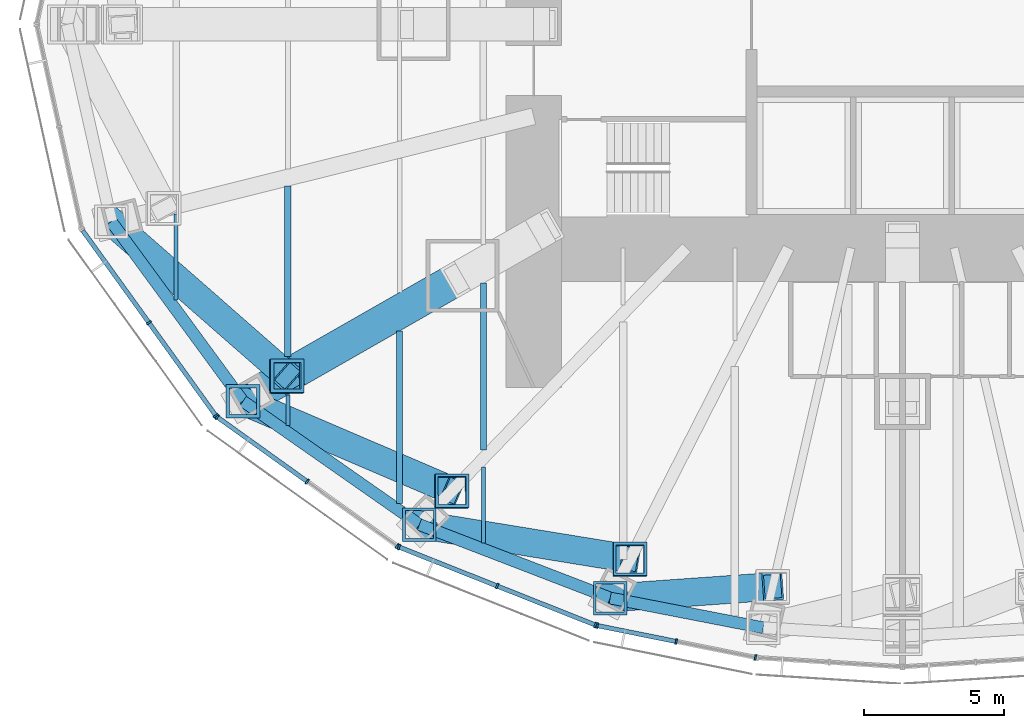
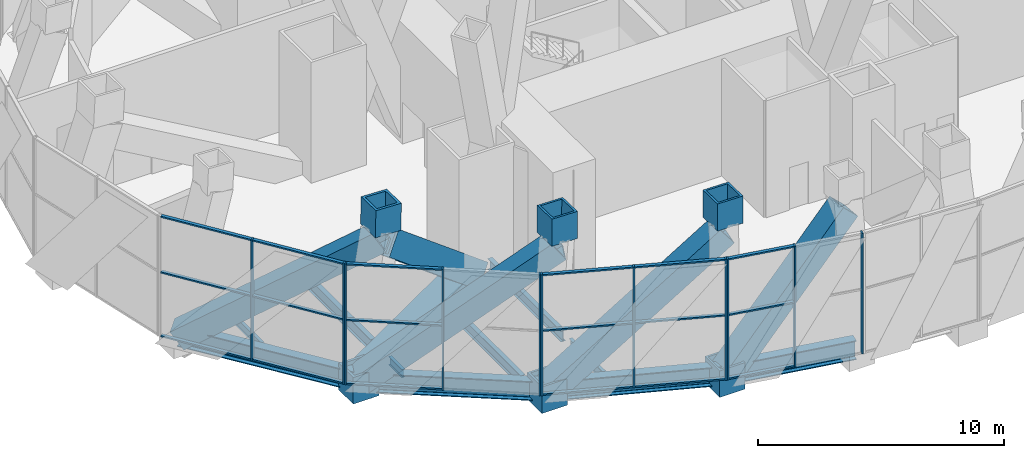
# One storey, part 2 of 21: 40 members, 11 beams, 4 elements without a shape of their own.
"""IFC4 building model written with IfcOpenShell, lengths in metres."""

from ifc_helpers import new_model, si_unit, direction, frame, origin, origin_2d, place, context, subcontext, project, spatial, rectangle, hollow_rectangle, i_section, extrude, material, material_profile, profile_set, type_object, element, aggregate, save


model = new_model("IFC4")

# Units and contexts
model_context = context("Model", 3, precision=1e-05, world=origin(), true_north=direction((0.0, 1.0)))
body_context = subcontext(model_context, "Body", "Model", "MODEL_VIEW")
ifc_project = project(units=[si_unit("LENGTHUNIT", "METRE"), si_unit("AREAUNIT", "SQUARE_METRE"), si_unit("VOLUMEUNIT", "CUBIC_METRE"), si_unit("PLANEANGLEUNIT", "RADIAN"), si_unit("MASSUNIT", "GRAM", prefix="KILO")], contexts=[model_context])

# Site, building, storey
site_placement = place(None, origin())
site = spatial("IfcSite", under=ifc_project, at=site_placement, CompositionType="ELEMENT")
building_placement = place(site_placement, origin())
building = spatial("IfcBuilding", under=site, at=building_placement, Name="Lantaw Convention Tower", CompositionType="ELEMENT")
storey_placement = place(building_placement, frame((0.0, 0.0, 105.39990234375)))
storey = spatial("IfcBuildingStorey", under=building, at=storey_placement, Name="L25", CompositionType="ELEMENT", Elevation=105.39990234375)

# Beams
ifc_material_1 = material(Name="Steel ASTM A992", Category="steel")
ifc_material_profile_1 = material_profile(ifc_material_1, i_section(OverallWidth=0.424072265625, OverallDepth=0.947509765625, WebThickness=0.02392578125, FlangeThickness=0.042724609375, FilletRadius=0.012451171875, at=origin_2d()), Name="W36X302")
ifc_profile_set_1 = profile_set([ifc_material_profile_1], Name="Steel ASTM A992")
beam_type_1 = type_object("IfcBeamType", Name="Beam BC W36X302", PredefinedType="SPANDREL", material=ifc_profile_set_1)
beam_1_placement = place(storey_placement, frame((-28.31787109375, -7.060302734375, -0.673583984375), z_axis=(0.591270709086, -0.806473154281, 0.0), x_axis=(0.806473154281, 0.591270709086, 0.0)))
element("IfcBeam", 1, at=beam_1_placement, inside=storey, type_object=beam_type_1, Name="Belt truss chord 14", PredefinedType="SPANDREL", context=body_context, shape_type="SweptSolid", body=[
    extrude(i_section(OverallWidth=0.424072265625, OverallDepth=0.947509765625, WebThickness=0.02392578125, FlangeThickness=0.042724609375, FilletRadius=0.012451171875, at=origin_2d()), origin(), (0.0, 0.0, 1.0), 7.970703125),
])
beam_2_placement = place(storey_placement, frame((-23.60498046875, -13.488525390625, -0.673583984375), z_axis=(0.81942686407, -0.57318375277, 0.0), x_axis=(0.57318375277, 0.81942686407, 0.0)))
element("IfcBeam", 2, at=beam_2_placement, inside=storey, type_object=beam_type_1, Name="Belt truss chord 15", PredefinedType="SPANDREL", context=body_context, shape_type="SweptSolid", body=[
    extrude(i_section(OverallWidth=0.424072265625, OverallDepth=0.947509765625, WebThickness=0.02392578125, FlangeThickness=0.042724609375, FilletRadius=0.012451171875, at=origin_2d()), origin(), (0.0, 0.0, 1.0), 7.70556640625),
])
beam_3_placement = place(storey_placement, frame((-17.290771484375, -17.9052734375, -0.673583984375), z_axis=(0.933232900641, -0.359271976588, 0.0), x_axis=(0.359271976588, 0.933232900641, 0.0)))
element("IfcBeam", 3, at=beam_3_placement, inside=storey, type_object=beam_type_1, Name="Belt truss chord 16", PredefinedType="SPANDREL", context=body_context, shape_type="SweptSolid", body=[
    extrude(i_section(OverallWidth=0.424072265625, OverallDepth=0.947509765625, WebThickness=0.02392578125, FlangeThickness=0.042724609375, FilletRadius=0.012451171875, at=origin_2d()), origin(), (0.0, 0.0, 1.0), 7.316650390625),
])
beam_4_placement = place(storey_placement, frame((-10.462646484375, -20.533935546875, -0.673583984375), z_axis=(0.981636565323, -0.190760723474, 0.0), x_axis=(0.190760723474, 0.981636565323, 0.0)))
element("IfcBeam", 4, at=beam_4_placement, inside=storey, type_object=beam_type_1, Name="Belt truss chord 17", PredefinedType="SPANDREL", context=body_context, shape_type="SweptSolid", body=[
    extrude(i_section(OverallWidth=0.424072265625, OverallDepth=0.947509765625, WebThickness=0.02392578125, FlangeThickness=0.042724609375, FilletRadius=0.012451171875, at=origin_2d()), origin(), (0.0, 0.0, 1.0), 5.578857421875),
])
ifc_material_2 = material(Name="Steel EN 10025-3 S460N", Category="steel")
ifc_material_profile_2 = material_profile(ifc_material_2, hollow_rectangle(XDim=1.199951171875, YDim=1.199951171875, WallThickness=0.10009765625, at=origin_2d()), Name="BOX1200X100")
ifc_profile_set_2 = profile_set([ifc_material_profile_2], Name="Steel EN 10025-3 S460N")
beam_type_2 = type_object("IfcBeamType", Name="Beam G BOX1200X100", PredefinedType="BEAM", material=ifc_profile_set_2)
beam_5_placement = place(storey_placement, frame((-15.75, -9.0, -0.7998046875), z_axis=(-0.868244802791, -0.496136032179, 0.0), x_axis=(0.496136032179, -0.868244802791, 0.0)))
element("IfcBeam", 5, at=beam_5_placement, inside=storey, type_object=beam_type_2, Name="Floor girder on ray 15", PredefinedType="BEAM", context=body_context, shape_type="SweptSolid", body=[
    extrude(hollow_rectangle(XDim=1.199951171875, YDim=1.199951171875, WallThickness=0.10009765625, at=origin_2d()), origin(), (0.0, 0.0, 1.0), 9.046875),
])
ifc_material_profile_3 = material_profile(ifc_material_1, i_section(OverallWidth=0.140380859375, OverallDepth=0.40380859375, WebThickness=0.007080078125, FlangeThickness=0.01123046875, FilletRadius=0.01025390625, at=origin_2d()), Name="W16X31")
ifc_profile_set_3 = profile_set([ifc_material_profile_3], Name="Steel ASTM A992")
beam_type_3 = type_object("IfcBeamType", Name="Beam J W16X31", PredefinedType="JOIST", material=ifc_profile_set_3)
beam_6_placement = place(storey_placement, frame((-26.0, -9.863037109375, -0.40185546875), z_axis=(0.0, 1.0, 0.0), x_axis=(-1.0, 0.0, 0.0)))
element("IfcBeam", 6, at=beam_6_placement, inside=storey, type_object=beam_type_3, Name="Floor joist", PredefinedType="JOIST", context=body_context, shape_type="SweptSolid", body=[
    extrude(i_section(OverallWidth=0.140380859375, OverallDepth=0.40380859375, WebThickness=0.007080078125, FlangeThickness=0.01123046875, FilletRadius=0.01025390625, at=origin_2d()), origin(), (0.0, 0.0, 1.0), 3.0712890625),
])
beam_7_placement = place(storey_placement, frame((-22.0, -14.352294921875, -0.40185546875), z_axis=(0.0, 1.0, 0.0), x_axis=(-1.0, 0.0, 0.0)))
element("IfcBeam", 7, at=beam_7_placement, inside=storey, type_object=beam_type_3, Name="Floor joist", PredefinedType="JOIST", context=body_context, shape_type="SweptSolid", body=[
    extrude(i_section(OverallWidth=0.140380859375, OverallDepth=0.40380859375, WebThickness=0.007080078125, FlangeThickness=0.01123046875, FilletRadius=0.01025390625, at=origin_2d()), origin(), (0.0, 0.0, 1.0), 1.08984375),
])
ifc_material_profile_4 = material_profile(ifc_material_1, i_section(OverallWidth=0.15234375, OverallDepth=0.449462890625, WebThickness=0.007568359375, FlangeThickness=0.0107421875, FilletRadius=0.01025390625, at=origin_2d()), Name="W18X35")
ifc_profile_set_4 = profile_set([ifc_material_profile_4], Name="Steel ASTM A992")
beam_type_4 = type_object("IfcBeamType", Name="Beam J W18X35", PredefinedType="JOIST", material=ifc_profile_set_4)
beam_8_placement = place(storey_placement, frame((-15.0, -18.559814453125, -0.4248046875), z_axis=(0.0, 1.0, 0.0), x_axis=(-1.0, 0.0, 0.0)))
element("IfcBeam", 8, at=beam_8_placement, inside=storey, type_object=beam_type_4, Name="Floor joist", PredefinedType="JOIST", context=body_context, shape_type="SweptSolid", body=[
    extrude(i_section(OverallWidth=0.15234375, OverallDepth=0.449462890625, WebThickness=0.007568359375, FlangeThickness=0.0107421875, FilletRadius=0.01025390625, at=origin_2d()), origin(), (0.0, 0.0, 1.0), 2.723388671875),
])
ifc_material_profile_5 = material_profile(ifc_material_1, i_section(OverallWidth=0.209228515625, OverallDepth=0.533447265625, WebThickness=0.01025390625, FlangeThickness=0.015625, FilletRadius=0.012939453125, at=origin_2d()), Name="W21X62")
ifc_profile_set_5 = profile_set([ifc_material_profile_5], Name="Steel ASTM A992")
beam_type_5 = type_object("IfcBeamType", Name="Beam J W21X62", PredefinedType="JOIST", material=ifc_profile_set_5)
beam_9_placement = place(storey_placement, frame((-18.0, -17.150390625, -0.466552734375), z_axis=(0.0, 1.0, 0.0), x_axis=(-1.0, 0.0, 0.0)))
element("IfcBeam", 9, at=beam_9_placement, inside=storey, type_object=beam_type_5, Name="Floor joist", PredefinedType="JOIST", context=body_context, shape_type="SweptSolid", body=[
    extrude(i_section(OverallWidth=0.209228515625, OverallDepth=0.533447265625, WebThickness=0.01025390625, FlangeThickness=0.015625, FilletRadius=0.012939453125, at=origin_2d()), origin(), (0.0, 0.0, 1.0), 6.173583984375),
])
ifc_material_profile_6 = material_profile(ifc_material_1, i_section(OverallWidth=0.2099609375, OverallDepth=0.535888671875, WebThickness=0.010986328125, FlangeThickness=0.017333984375, FilletRadius=0.012939453125, at=origin_2d()), Name="W21X68")
ifc_profile_set_6 = profile_set([ifc_material_profile_6], Name="Steel ASTM A992")
beam_type_6 = type_object("IfcBeamType", Name="Beam J W21X68", PredefinedType="JOIST", material=ifc_profile_set_6)
beam_10_placement = place(storey_placement, frame((-15.0, -15.2294921875, -0.4677734375), z_axis=(0.0, 1.0, 0.0), x_axis=(-1.0, 0.0, 0.0)))
element("IfcBeam", 10, at=beam_10_placement, inside=storey, type_object=beam_type_6, Name="Floor joist", PredefinedType="JOIST", context=body_context, shape_type="SweptSolid", body=[
    extrude(i_section(OverallWidth=0.2099609375, OverallDepth=0.535888671875, WebThickness=0.010986328125, FlangeThickness=0.017333984375, FilletRadius=0.012939453125, at=origin_2d()), origin(), (0.0, 0.0, 1.0), 5.967041015625),
])
ifc_material_profile_7 = material_profile(ifc_material_1, i_section(OverallWidth=0.227783203125, OverallDepth=0.60205078125, WebThickness=0.010498046875, FlangeThickness=0.014892578125, FilletRadius=0.012939453125, at=origin_2d()), Name="W24X68")
ifc_profile_set_7 = profile_set([ifc_material_profile_7], Name="Steel ASTM A992")
beam_type_7 = type_object("IfcBeamType", Name="Beam J W24X68", PredefinedType="JOIST", material=ifc_profile_set_7)
beam_11_placement = place(storey_placement, frame((-22.0, -11.88037109375, -0.5009765625), z_axis=(0.0, 1.0, 0.0), x_axis=(-1.0, 0.0, 0.0)))
element("IfcBeam", 11, at=beam_11_placement, inside=storey, type_object=beam_type_7, Name="Floor joist", PredefinedType="JOIST", context=body_context, shape_type="SweptSolid", body=[
    extrude(i_section(OverallWidth=0.227783203125, OverallDepth=0.60205078125, WebThickness=0.010498046875, FlangeThickness=0.014892578125, FilletRadius=0.012939453125, at=origin_2d()), origin(), (0.0, 0.0, 1.0), 6.0859375),
])

# Curtain wall, members
ifc_material_3 = material(Name="Aluminium framed curtain wall", Category="aluminium")
curtain_wall_type = type_object("IfcCurtainWallType", Name="Plant floor louvre wall, pale aluminium", PredefinedType="USERDEFINED", material=ifc_material_3)
curtain_wall_1_placement = place(storey_placement, origin())
curtain_wall_1 = element("IfcCurtainWall", 12, at=curtain_wall_1_placement, inside=storey, type_object=curtain_wall_type, Name="Plant floor louvre wall, pale aluminium L25", ObjectType="LOUVRE WALL", PredefinedType="USERDEFINED")
ifc_material_4 = material(Name="Aluminium 6063-T6", Category="aluminium")
ifc_material_profile_8 = material_profile(ifc_material_4, rectangle(XDim=0.199951171875, YDim=0.070068359375, at=origin_2d()), Name="CW-LV mullion 70x200")
ifc_profile_set_8 = profile_set([ifc_material_profile_8], Name="Aluminium 6063-T6")
member_type_1 = type_object("IfcMemberType", Name="CW-LV mullion 70x200", PredefinedType="MULLION", material=ifc_profile_set_8)
member_1_placement = place(storey_placement, frame((-26.97265625, -10.680419921875, -0.199951171875), z_axis=(0.0, 0.0, 1.0), x_axis=(0.811788726895, 0.583951250436, 0.0)))
member_1 = element("IfcMember", 13, at=member_1_placement, type_object=member_type_1, Name="CW-LV mullion 2", PredefinedType="MULLION", context=body_context, shape_type="SweptSolid", body=[
    extrude(rectangle(XDim=0.199951171875, YDim=0.070068359375, at=origin_2d()), origin(), (0.0, 0.0, 1.0), 6.0),
])
member_2_placement = place(storey_placement, frame((-24.580322265625, -14.005859375, -0.199951171875), z_axis=(0.0, 0.0, 1.0), x_axis=(0.811788726895, 0.583951250436, 0.0)))
member_2 = element("IfcMember", 14, at=member_2_placement, type_object=member_type_1, Name="CW-LV mullion 3", PredefinedType="MULLION", context=body_context, shape_type="SweptSolid", body=[
    extrude(rectangle(XDim=0.199951171875, YDim=0.070068359375, at=origin_2d()), origin(), (0.0, 0.0, 1.0), 6.0),
])

curtain_wall_2_placement = place(storey_placement, origin())
curtain_wall_2 = element("IfcCurtainWall", 15, at=curtain_wall_2_placement, inside=storey, type_object=curtain_wall_type, Name="Plant floor louvre wall, pale aluminium L25", ObjectType="LOUVRE WALL", PredefinedType="USERDEFINED")
member_3_placement = place(storey_placement, frame((-24.531494140625, -14.0546875, -0.199951171875), z_axis=(0.0, 0.0, 1.0), x_axis=(0.5825376308, 0.812803733199, 0.0)))
member_3 = element("IfcMember", 16, at=member_3_placement, type_object=member_type_1, Name="CW-LV mullion 1", PredefinedType="MULLION", context=body_context, shape_type="SweptSolid", body=[
    extrude(rectangle(XDim=0.199951171875, YDim=0.070068359375, at=origin_2d()), origin(), (0.0, 0.0, 1.0), 6.0),
])
member_4_placement = place(storey_placement, frame((-21.307373046875, -16.365478515625, -0.199951171875), z_axis=(0.0, 0.0, 1.0), x_axis=(0.5825376308, 0.812803733199, 0.0)))
member_4 = element("IfcMember", 17, at=member_4_placement, type_object=member_type_1, Name="CW-LV mullion 2", PredefinedType="MULLION", context=body_context, shape_type="SweptSolid", body=[
    extrude(rectangle(XDim=0.199951171875, YDim=0.070068359375, at=origin_2d()), origin(), (0.0, 0.0, 1.0), 6.0),
])
member_5_placement = place(storey_placement, frame((-18.08349609375, -18.676025390625, -0.199951171875), z_axis=(0.0, 0.0, 1.0), x_axis=(0.5825376308, 0.812803733199, 0.0)))
member_5 = element("IfcMember", 18, at=member_5_placement, type_object=member_type_1, Name="CW-LV mullion 3", PredefinedType="MULLION", context=body_context, shape_type="SweptSolid", body=[
    extrude(rectangle(XDim=0.199951171875, YDim=0.070068359375, at=origin_2d()), origin(), (0.0, 0.0, 1.0), 6.0),
])

curtain_wall_3_placement = place(storey_placement, origin())
curtain_wall_3 = element("IfcCurtainWall", 19, at=curtain_wall_3_placement, inside=storey, type_object=curtain_wall_type, Name="Plant floor louvre wall, pale aluminium L25", ObjectType="LOUVRE WALL", PredefinedType="USERDEFINED")
member_6_placement = place(storey_placement, frame((-18.0224609375, -18.70947265625, -0.199951171875), z_axis=(0.0, 0.0, 1.0), x_axis=(0.369171840425, 0.929361152748, 0.0)))
member_6 = element("IfcMember", 20, at=member_6_placement, type_object=member_type_1, Name="CW-LV mullion 1", PredefinedType="MULLION", context=body_context, shape_type="SweptSolid", body=[
    extrude(rectangle(XDim=0.199951171875, YDim=0.070068359375, at=origin_2d()), origin(), (0.0, 0.0, 1.0), 6.0),
])
member_7_placement = place(storey_placement, frame((-14.508544921875, -20.105224609375, -0.199951171875), z_axis=(0.0, 0.0, 1.0), x_axis=(0.369171840425, 0.929361152748, 0.0)))
member_7 = element("IfcMember", 21, at=member_7_placement, type_object=member_type_1, Name="CW-LV mullion 2", PredefinedType="MULLION", context=body_context, shape_type="SweptSolid", body=[
    extrude(rectangle(XDim=0.199951171875, YDim=0.070068359375, at=origin_2d()), origin(), (0.0, 0.0, 1.0), 6.0),
])
member_8_placement = place(storey_placement, frame((-10.994384765625, -21.501220703125, -0.199951171875), z_axis=(0.0, 0.0, 1.0), x_axis=(0.369171840425, 0.929361152748, 0.0)))
member_8 = element("IfcMember", 22, at=member_8_placement, type_object=member_type_1, Name="CW-LV mullion 3", PredefinedType="MULLION", context=body_context, shape_type="SweptSolid", body=[
    extrude(rectangle(XDim=0.199951171875, YDim=0.070068359375, at=origin_2d()), origin(), (0.0, 0.0, 1.0), 6.0),
])

curtain_wall_4_placement = place(storey_placement, origin())
curtain_wall_4 = element("IfcCurtainWall", 23, at=curtain_wall_4_placement, inside=storey, type_object=curtain_wall_type, Name="Plant floor louvre wall, pale aluminium L25", ObjectType="LOUVRE WALL", PredefinedType="USERDEFINED")
member_9_placement = place(storey_placement, frame((-10.927734375, -21.52099609375, -0.199951171875), z_axis=(0.0, 0.0, 1.0), x_axis=(0.197789067813, 0.980244604501, 0.0)))
member_9 = element("IfcMember", 24, at=member_9_placement, type_object=member_type_1, Name="CW-LV mullion 1", PredefinedType="MULLION", context=body_context, shape_type="SweptSolid", body=[
    extrude(rectangle(XDim=0.199951171875, YDim=0.070068359375, at=origin_2d()), origin(), (0.0, 0.0, 1.0), 6.0),
])
member_10_placement = place(storey_placement, frame((-8.097900390625, -22.092041015625, -0.199951171875), z_axis=(0.0, 0.0, 1.0), x_axis=(0.197789067813, 0.980244604501, 0.0)))
member_10 = element("IfcMember", 25, at=member_10_placement, type_object=member_type_1, Name="CW-LV mullion 2", PredefinedType="MULLION", context=body_context, shape_type="SweptSolid", body=[
    extrude(rectangle(XDim=0.199951171875, YDim=0.070068359375, at=origin_2d()), origin(), (0.0, 0.0, 1.0), 6.0),
])
member_11_placement = place(storey_placement, frame((-5.26806640625, -22.662841796875, -0.199951171875), z_axis=(0.0, 0.0, 1.0), x_axis=(0.197789067813, 0.980244604501, 0.0)))
member_11 = element("IfcMember", 26, at=member_11_placement, type_object=member_type_1, Name="CW-LV mullion 3", PredefinedType="MULLION", context=body_context, shape_type="SweptSolid", body=[
    extrude(rectangle(XDim=0.199951171875, YDim=0.070068359375, at=origin_2d()), origin(), (0.0, 0.0, 1.0), 6.0),
])

# Member
ifc_material_profile_9 = material_profile(ifc_material_4, rectangle(XDim=0.159912109375, YDim=0.070068359375, at=origin_2d()), Name="CW-LV transom 70x160")
ifc_profile_set_9 = profile_set([ifc_material_profile_9], Name="Aluminium 6063-T6")
member_type_2 = type_object("IfcMemberType", Name="CW-LV transom 70x160", PredefinedType="USERDEFINED", material=ifc_profile_set_9)
member_12_placement = place(storey_placement, frame((-29.34423828125, -7.38330078125, -0.164794921875), z_axis=(0.583942092364, -0.811795314574, 0.0), x_axis=(0.811795314574, 0.583942092364, 0.0)))
member_12 = element("IfcMember", 27, at=member_12_placement, type_object=member_type_2, Name="CW-LV transom 1.1", ObjectType="TRANSOM", PredefinedType="USERDEFINED", context=body_context, shape_type="SweptSolid", body=[
    extrude(rectangle(XDim=0.159912109375, YDim=0.070068359375, at=origin_2d()), origin(), (0.0, 0.0, 1.0), 4.026611328125),
])

member_13_placement = place(storey_placement, frame((-29.34423828125, -7.38330078125, 3.0), z_axis=(0.583942092364, -0.811795314574, 0.0), x_axis=(0.811795314574, 0.583942092364, 0.0)))
member_13 = element("IfcMember", 28, at=member_13_placement, type_object=member_type_2, Name="CW-LV transom 1.2", ObjectType="TRANSOM", PredefinedType="USERDEFINED", context=body_context, shape_type="SweptSolid", body=[
    extrude(rectangle(XDim=0.159912109375, YDim=0.070068359375, at=origin_2d()), origin(), (0.0, 0.0, 1.0), 4.026611328125),
])

member_14_placement = place(storey_placement, frame((-29.34423828125, -7.38330078125, 5.76513671875), z_axis=(0.583942092364, -0.811795314574, 0.0), x_axis=(0.811795314574, 0.583942092364, 0.0)))
member_14 = element("IfcMember", 29, at=member_14_placement, type_object=member_type_2, Name="CW-LV transom 1.3", ObjectType="TRANSOM", PredefinedType="USERDEFINED", context=body_context, shape_type="SweptSolid", body=[
    extrude(rectangle(XDim=0.159912109375, YDim=0.070068359375, at=origin_2d()), origin(), (0.0, 0.0, 1.0), 4.026611328125),
])

member_15_placement = place(storey_placement, frame((-26.9521484375, -10.708740234375, -0.164794921875), z_axis=(0.583942092364, -0.811795314574, 0.0), x_axis=(0.811795314574, 0.583942092364, 0.0)))
member_15 = element("IfcMember", 30, at=member_15_placement, type_object=member_type_2, Name="CW-LV transom 2.1", ObjectType="TRANSOM", PredefinedType="USERDEFINED", context=body_context, shape_type="SweptSolid", body=[
    extrude(rectangle(XDim=0.159912109375, YDim=0.070068359375, at=origin_2d()), origin(), (0.0, 0.0, 1.0), 4.026611328125),
])

member_16_placement = place(storey_placement, frame((-26.9521484375, -10.708740234375, 3.0), z_axis=(0.583942092364, -0.811795314574, 0.0), x_axis=(0.811795314574, 0.583942092364, 0.0)))
member_16 = element("IfcMember", 31, at=member_16_placement, type_object=member_type_2, Name="CW-LV transom 2.2", ObjectType="TRANSOM", PredefinedType="USERDEFINED", context=body_context, shape_type="SweptSolid", body=[
    extrude(rectangle(XDim=0.159912109375, YDim=0.070068359375, at=origin_2d()), origin(), (0.0, 0.0, 1.0), 4.026611328125),
])

member_17_placement = place(storey_placement, frame((-26.9521484375, -10.708740234375, 5.76513671875), z_axis=(0.583942092364, -0.811795314574, 0.0), x_axis=(0.811795314574, 0.583942092364, 0.0)))
member_17 = element("IfcMember", 32, at=member_17_placement, type_object=member_type_2, Name="CW-LV transom 2.3", ObjectType="TRANSOM", PredefinedType="USERDEFINED", context=body_context, shape_type="SweptSolid", body=[
    extrude(rectangle(XDim=0.159912109375, YDim=0.070068359375, at=origin_2d()), origin(), (0.0, 0.0, 1.0), 4.026611328125),
])

aggregate(curtain_wall_1, [member_1, member_2, member_12, member_13, member_14, member_15, member_16, member_17])

member_18_placement = place(storey_placement, frame((-24.503173828125, -14.074951171875, -0.164794921875), z_axis=(0.812796855992, -0.582547226317, 0.0), x_axis=(0.582547226317, 0.812796855992, 0.0)))
member_18 = element("IfcMember", 33, at=member_18_placement, type_object=member_type_2, Name="CW-LV transom 1.1", ObjectType="TRANSOM", PredefinedType="USERDEFINED", context=body_context, shape_type="SweptSolid", body=[
    extrude(rectangle(XDim=0.159912109375, YDim=0.070068359375, at=origin_2d()), origin(), (0.0, 0.0, 1.0), 3.896728515625),
])

member_19_placement = place(storey_placement, frame((-24.503173828125, -14.074951171875, 3.0), z_axis=(0.812796855992, -0.582547226317, 0.0), x_axis=(0.582547226317, 0.812796855992, 0.0)))
member_19 = element("IfcMember", 34, at=member_19_placement, type_object=member_type_2, Name="CW-LV transom 1.2", ObjectType="TRANSOM", PredefinedType="USERDEFINED", context=body_context, shape_type="SweptSolid", body=[
    extrude(rectangle(XDim=0.159912109375, YDim=0.070068359375, at=origin_2d()), origin(), (0.0, 0.0, 1.0), 3.896728515625),
])

member_20_placement = place(storey_placement, frame((-24.503173828125, -14.074951171875, 5.76513671875), z_axis=(0.812796855992, -0.582547226317, 0.0), x_axis=(0.582547226317, 0.812796855992, 0.0)))
member_20 = element("IfcMember", 35, at=member_20_placement, type_object=member_type_2, Name="CW-LV transom 1.3", ObjectType="TRANSOM", PredefinedType="USERDEFINED", context=body_context, shape_type="SweptSolid", body=[
    extrude(rectangle(XDim=0.159912109375, YDim=0.070068359375, at=origin_2d()), origin(), (0.0, 0.0, 1.0), 3.896728515625),
])

aggregate(curtain_wall_2, [member_3, member_4, member_5, member_18, member_19, member_20])

member_21_placement = place(storey_placement, frame((-17.989990234375, -18.722412109375, -0.164794921875), z_axis=(0.929376820828, -0.369132394823, 0.0), x_axis=(0.369132394823, 0.929376820828, 0.0)))
member_21 = element("IfcMember", 36, at=member_21_placement, type_object=member_type_2, Name="CW-LV transom 1.1", ObjectType="TRANSOM", PredefinedType="USERDEFINED", context=body_context, shape_type="SweptSolid", body=[
    extrude(rectangle(XDim=0.159912109375, YDim=0.070068359375, at=origin_2d()), origin(), (0.0, 0.0, 1.0), 3.711181640625),
])

member_22_placement = place(storey_placement, frame((-17.989990234375, -18.722412109375, 3.0), z_axis=(0.929376820828, -0.369132394823, 0.0), x_axis=(0.369132394823, 0.929376820828, 0.0)))
member_22 = element("IfcMember", 37, at=member_22_placement, type_object=member_type_2, Name="CW-LV transom 1.2", ObjectType="TRANSOM", PredefinedType="USERDEFINED", context=body_context, shape_type="SweptSolid", body=[
    extrude(rectangle(XDim=0.159912109375, YDim=0.070068359375, at=origin_2d()), origin(), (0.0, 0.0, 1.0), 3.711181640625),
])

member_23_placement = place(storey_placement, frame((-17.989990234375, -18.722412109375, 5.76513671875), z_axis=(0.929376820828, -0.369132394823, 0.0), x_axis=(0.369132394823, 0.929376820828, 0.0)))
member_23 = element("IfcMember", 38, at=member_23_placement, type_object=member_type_2, Name="CW-LV transom 1.3", ObjectType="TRANSOM", PredefinedType="USERDEFINED", context=body_context, shape_type="SweptSolid", body=[
    extrude(rectangle(XDim=0.159912109375, YDim=0.070068359375, at=origin_2d()), origin(), (0.0, 0.0, 1.0), 3.711181640625),
])

member_24_placement = place(storey_placement, frame((-14.475830078125, -20.1181640625, -0.164794921875), z_axis=(0.929345282999, -0.369211788772, 0.0), x_axis=(0.369211788772, 0.929345282999, 0.0)))
member_24 = element("IfcMember", 39, at=member_24_placement, type_object=member_type_2, Name="CW-LV transom 2.1", ObjectType="TRANSOM", PredefinedType="USERDEFINED", context=body_context, shape_type="SweptSolid", body=[
    extrude(rectangle(XDim=0.159912109375, YDim=0.070068359375, at=origin_2d()), origin(), (0.0, 0.0, 1.0), 3.7109375),
])

member_25_placement = place(storey_placement, frame((-14.475830078125, -20.1181640625, 3.0), z_axis=(0.929345282999, -0.369211788772, 0.0), x_axis=(0.369211788772, 0.929345282999, 0.0)))
member_25 = element("IfcMember", 40, at=member_25_placement, type_object=member_type_2, Name="CW-LV transom 2.2", ObjectType="TRANSOM", PredefinedType="USERDEFINED", context=body_context, shape_type="SweptSolid", body=[
    extrude(rectangle(XDim=0.159912109375, YDim=0.070068359375, at=origin_2d()), origin(), (0.0, 0.0, 1.0), 3.7109375),
])

member_26_placement = place(storey_placement, frame((-14.475830078125, -20.1181640625, 5.76513671875), z_axis=(0.929345282999, -0.369211788772, 0.0), x_axis=(0.369211788772, 0.929345282999, 0.0)))
member_26 = element("IfcMember", 41, at=member_26_placement, type_object=member_type_2, Name="CW-LV transom 2.3", ObjectType="TRANSOM", PredefinedType="USERDEFINED", context=body_context, shape_type="SweptSolid", body=[
    extrude(rectangle(XDim=0.159912109375, YDim=0.070068359375, at=origin_2d()), origin(), (0.0, 0.0, 1.0), 3.7109375),
])

aggregate(curtain_wall_3, [member_6, member_7, member_8, member_21, member_22, member_23, member_24, member_25, member_26])

member_27_placement = place(storey_placement, frame((-10.893310546875, -21.52783203125, -0.164794921875), z_axis=(0.980245910217, -0.197782596562, 0.0), x_axis=(0.197782596562, 0.980245910217, 0.0)))
member_27 = element("IfcMember", 42, at=member_27_placement, type_object=member_type_2, Name="CW-LV transom 1.1", ObjectType="TRANSOM", PredefinedType="USERDEFINED", context=body_context, shape_type="SweptSolid", body=[
    extrude(rectangle(XDim=0.159912109375, YDim=0.070068359375, at=origin_2d()), origin(), (0.0, 0.0, 1.0), 2.81689453125),
])

member_28_placement = place(storey_placement, frame((-10.893310546875, -21.52783203125, 3.0), z_axis=(0.980245910217, -0.197782596562, 0.0), x_axis=(0.197782596562, 0.980245910217, 0.0)))
member_28 = element("IfcMember", 43, at=member_28_placement, type_object=member_type_2, Name="CW-LV transom 1.2", ObjectType="TRANSOM", PredefinedType="USERDEFINED", context=body_context, shape_type="SweptSolid", body=[
    extrude(rectangle(XDim=0.159912109375, YDim=0.070068359375, at=origin_2d()), origin(), (0.0, 0.0, 1.0), 2.81689453125),
])

member_29_placement = place(storey_placement, frame((-10.893310546875, -21.52783203125, 5.76513671875), z_axis=(0.980245910217, -0.197782596562, 0.0), x_axis=(0.197782596562, 0.980245910217, 0.0)))
member_29 = element("IfcMember", 44, at=member_29_placement, type_object=member_type_2, Name="CW-LV transom 1.3", ObjectType="TRANSOM", PredefinedType="USERDEFINED", context=body_context, shape_type="SweptSolid", body=[
    extrude(rectangle(XDim=0.159912109375, YDim=0.070068359375, at=origin_2d()), origin(), (0.0, 0.0, 1.0), 2.81689453125),
])

aggregate(curtain_wall_4, [member_9, member_10, member_11, member_27, member_28, member_29])

# Members
ifc_material_5 = material(Name="Steel ASTM A572 Grade 50", Category="steel")
ifc_material_profile_10 = material_profile(ifc_material_5, hollow_rectangle(XDim=1.0, YDim=1.0, WallThickness=0.080078125, at=origin_2d()), Name="BOX1000X80")
ifc_profile_set_10 = profile_set([ifc_material_profile_10], Name="Steel ASTM A572 Grade 50")
member_type_3 = type_object("IfcMemberType", Name="Member BT BOX1000X80", PredefinedType="BRACE", material=ifc_profile_set_10)
member_30_placement = place(storey_placement, frame((-28.31787109375, -7.060302734375, -0.673583984375), z_axis=(0.611718331925, -0.535552635897, 0.582223373432), x_axis=(0.658712938332, 0.752394354626, 0.0)))
element("IfcMember", 45, at=member_30_placement, inside=storey, type_object=member_type_3, Name="Belt truss diagonal 14", PredefinedType="BRACE", context=body_context, shape_type="SweptSolid", body=[
    extrude(hollow_rectangle(XDim=1.0, YDim=1.0, WallThickness=0.080078125, at=origin_2d()), origin(), (0.0, 0.0, 1.0), 10.305419921875),
])
member_31_placement = place(storey_placement, frame((-23.60498046875, -13.488525390625, -0.673583984375), z_axis=(0.740228329036, -0.316530399993, 0.593186755393), x_axis=(0.393173773783, 0.919464182886, 0.0)))
element("IfcMember", 46, at=member_31_placement, inside=storey, type_object=member_type_3, Name="Belt truss diagonal 15", PredefinedType="BRACE", context=body_context, shape_type="SweptSolid", body=[
    extrude(hollow_rectangle(XDim=1.0, YDim=1.0, WallThickness=0.080078125, at=origin_2d()), origin(), (0.0, 0.0, 1.0), 10.11474609375),
])
member_32_placement = place(storey_placement, frame((-17.290771484375, -17.9052734375, -0.673583984375), z_axis=(0.776304540049, -0.126347691301, 0.617565803783), x_axis=(0.160641582104, 0.987012807465, 0.0)))
element("IfcMember", 47, at=member_32_placement, inside=storey, type_object=member_type_3, Name="Belt truss diagonal 16", PredefinedType="BRACE", context=body_context, shape_type="SweptSolid", body=[
    extrude(hollow_rectangle(XDim=1.0, YDim=1.0, WallThickness=0.080078125, at=origin_2d()), origin(), (0.0, 0.0, 1.0), 9.715576171875),
])
member_33_placement = place(storey_placement, frame((-10.462646484375, -20.533935546875, -0.673583984375), z_axis=(0.695259819553, 0.049455092288, 0.717055072614), x_axis=(-0.070952540135, 0.997479692549, 0.0)))
element("IfcMember", 48, at=member_33_placement, inside=storey, type_object=member_type_3, Name="Belt truss diagonal 17", PredefinedType="BRACE", context=body_context, shape_type="SweptSolid", body=[
    extrude(hollow_rectangle(XDim=1.0, YDim=1.0, WallThickness=0.080078125, at=origin_2d()), origin(), (0.0, 0.0, 1.0), 8.36767578125),
])
ifc_material_6 = material(Name="Cast steel ASTM A148 Grade 80-50", Category="steel")
ifc_material_profile_11 = material_profile(ifc_material_6, hollow_rectangle(XDim=1.199951171875, YDim=1.199951171875, WallThickness=0.10009765625, at=origin_2d()), Name="BOX1200X100")
ifc_profile_set_11 = profile_set([ifc_material_profile_11], Name="Cast steel ASTM A148 Grade 80-50")
member_type_4 = type_object("IfcMemberType", Name="Member CN BOX1200X100", PredefinedType="USERDEFINED", material=ifc_profile_set_11)
member_34_placement = place(storey_placement, frame((-17.290771484375, -17.9052734375, -1.31982421875), z_axis=(0.0, 0.0, 1.0), x_axis=(1.0, 0.0, 0.0)))
element("IfcMember", 49, at=member_34_placement, inside=storey, type_object=member_type_4, Name="Cast steel column node", ObjectType="COLUMN NODE", PredefinedType="USERDEFINED", context=body_context, shape_type="SweptSolid", body=[
    extrude(hollow_rectangle(XDim=1.199951171875, YDim=1.199951171875, WallThickness=0.10009765625, at=origin_2d()), origin(), (0.0, 0.0, 1.0), 1.31982421875),
])
member_35_placement = place(storey_placement, frame((-16.14990234375, -16.723876953125, 5.83447265625), z_axis=(0.024397586421, 0.025506567622, 0.999376892261), x_axis=(0.999690962829, 0.004145682845, -0.024511061832)))
element("IfcMember", 50, at=member_35_placement, inside=storey, type_object=member_type_4, Name="Cast steel column node", ObjectType="COLUMN NODE", PredefinedType="USERDEFINED", context=body_context, shape_type="SweptSolid", body=[
    extrude(hollow_rectangle(XDim=1.199951171875, YDim=1.199951171875, WallThickness=0.10009765625, at=origin_2d()), origin(), (0.0, 0.0, 1.0), 1.32080078125),
])
member_36_placement = place(storey_placement, frame((-10.462646484375, -20.533935546875, -1.31982421875), z_axis=(0.0, 0.0, 1.0), x_axis=(1.0, 0.0, 0.0)))
element("IfcMember", 51, at=member_36_placement, inside=storey, type_object=member_type_4, Name="Cast steel column node", ObjectType="COLUMN NODE", PredefinedType="USERDEFINED", context=body_context, shape_type="SweptSolid", body=[
    extrude(hollow_rectangle(XDim=1.199951171875, YDim=1.199951171875, WallThickness=0.10009765625, at=origin_2d()), origin(), (0.0, 0.0, 1.0), 1.31982421875),
])
member_37_placement = place(storey_placement, frame((-9.76708984375, -19.1689453125, 5.844970703125), z_axis=(0.014049204278, 0.027358976753, 0.999526941233), x_axis=(0.999896306396, -0.003545230888, -0.013957356226)))
element("IfcMember", 52, at=member_37_placement, inside=storey, type_object=member_type_4, Name="Cast steel column node", ObjectType="COLUMN NODE", PredefinedType="USERDEFINED", context=body_context, shape_type="SweptSolid", body=[
    extrude(hollow_rectangle(XDim=1.199951171875, YDim=1.199951171875, WallThickness=0.10009765625, at=origin_2d()), origin(), (0.0, 0.0, 1.0), 1.32080078125),
])
ifc_material_profile_12 = material_profile(ifc_material_6, hollow_rectangle(XDim=1.199951171875, YDim=1.199951171875, WallThickness=0.1201171875, at=origin_2d()), Name="BOX1200X120")
ifc_profile_set_12 = profile_set([ifc_material_profile_12], Name="Cast steel ASTM A148 Grade 80-50")
member_type_5 = type_object("IfcMemberType", Name="Member CN BOX1200X120", PredefinedType="USERDEFINED", material=ifc_profile_set_12)
member_38_placement = place(storey_placement, frame((-23.60498046875, -13.488525390625, -1.31982421875), z_axis=(0.0, 0.0, 1.0), x_axis=(1.0, 0.0, 0.0)))
element("IfcMember", 53, at=member_38_placement, inside=storey, type_object=member_type_5, Name="Cast steel column node", ObjectType="COLUMN NODE", PredefinedType="USERDEFINED", context=body_context, shape_type="SweptSolid", body=[
    extrude(hollow_rectangle(XDim=1.199951171875, YDim=1.199951171875, WallThickness=0.1201171875, at=origin_2d()), origin(), (0.0, 0.0, 1.0), 1.31982421875),
])
member_39_placement = place(storey_placement, frame((-22.061279296875, -12.6064453125, 5.82177734375), z_axis=(0.035848799969, 0.020511426786, 0.999146708403), x_axis=(0.999357066375, -0.000172132711, -0.035852813787)))
element("IfcMember", 54, at=member_39_placement, inside=storey, type_object=member_type_5, Name="Cast steel column node", ObjectType="COLUMN NODE", PredefinedType="USERDEFINED", context=body_context, shape_type="SweptSolid", body=[
    extrude(hollow_rectangle(XDim=1.199951171875, YDim=1.199951171875, WallThickness=0.1201171875, at=origin_2d()), origin(), (0.0, 0.0, 1.0), 1.3212890625),
])
ifc_material_profile_13 = material_profile(ifc_material_2, hollow_rectangle(XDim=1.199951171875, YDim=1.199951171875, WallThickness=0.10009765625, at=origin_2d()), Name="BOX1200X100")
ifc_profile_set_13 = profile_set([ifc_material_profile_13], Name="Steel EN 10025-3 S460N")
member_type_6 = type_object("IfcMemberType", Name="Member OT BOX1200X100", PredefinedType="BRACE", material=ifc_profile_set_13)
member_40_placement = place(storey_placement, frame((-15.75, -9.0, -0.7998046875), z_axis=(-0.667552292736, -0.381454736088, 0.639426478009), x_axis=(0.496135293993, -0.868245224608, 0.0)))
element("IfcMember", 55, at=member_40_placement, inside=storey, type_object=member_type_6, Name="Outrigger diagonal 15 (outer)", PredefinedType="BRACE", context=body_context, shape_type="SweptSolid", body=[
    extrude(hollow_rectangle(XDim=1.199951171875, YDim=1.199951171875, WallThickness=0.10009765625, at=origin_2d()), origin(), (0.0, 0.0, 1.0), 9.38330078125),
])

save(model, "model.ifc")
